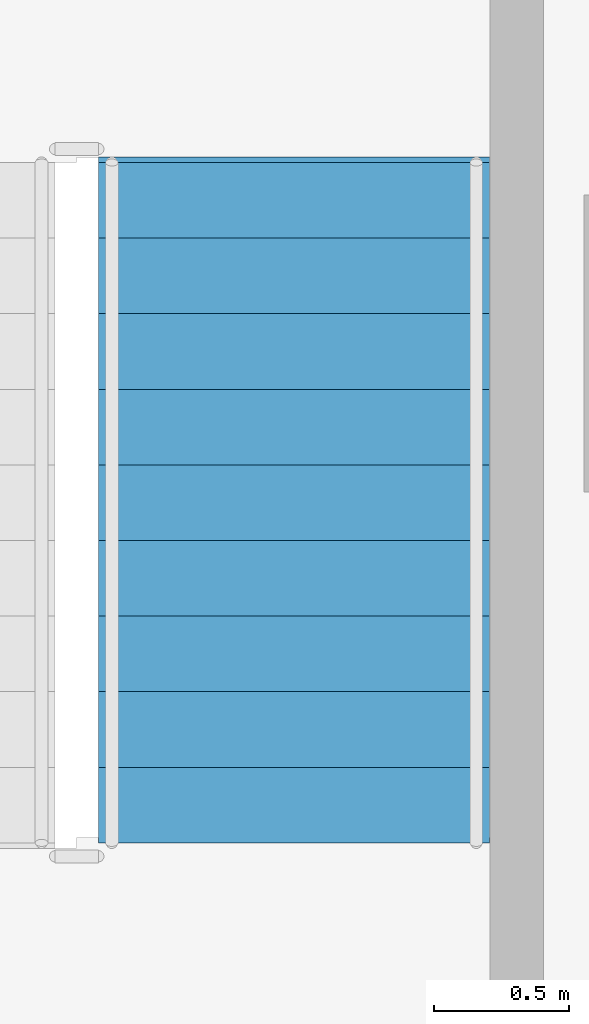
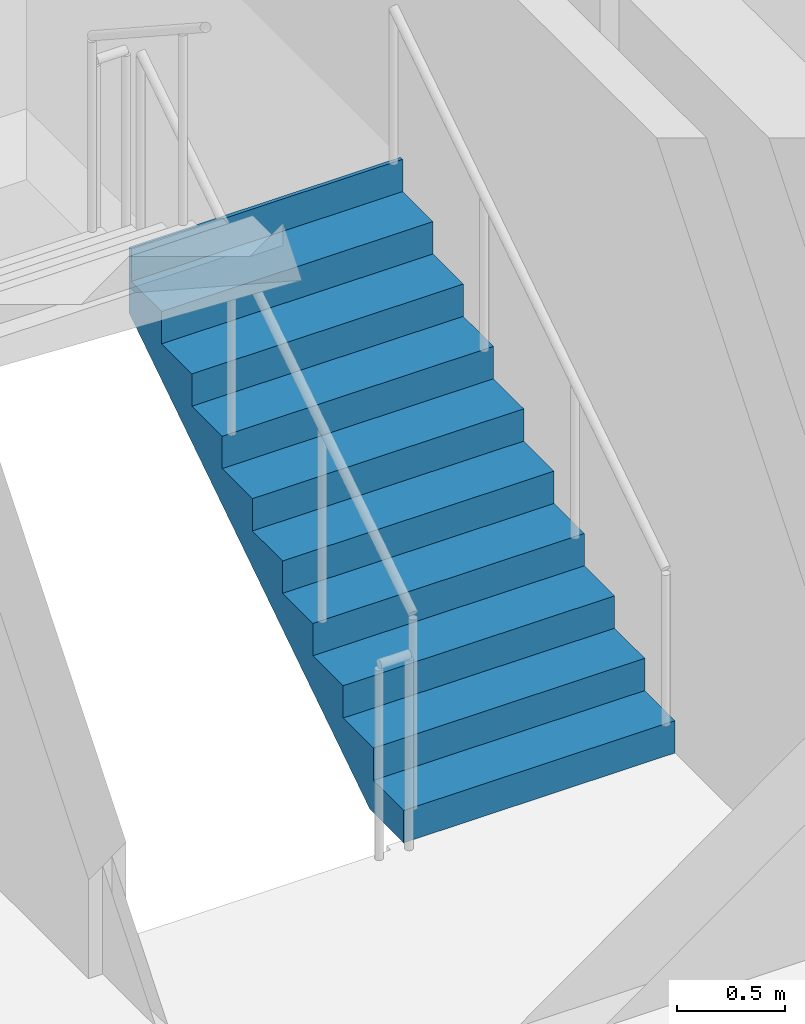
# One storey, part 10 of 15: 1 stair flight, 1 element without a shape of its own.
"""IFC4 building model written with IfcOpenShell, lengths in metres."""

from ifc_helpers import new_model, si_unit, direction, frame, origin, place, context, subcontext, project, spatial, polyline, outline, extrude, material, type_object, element, aggregate, save


model = new_model("IFC4")

# Units and contexts
model_context = context("Model", 3, precision=1e-05, world=origin(), true_north=direction((0.0, 1.0)))
body_context = subcontext(model_context, "Body", "Model", "MODEL_VIEW")
ifc_project = project(units=[si_unit("LENGTHUNIT", "METRE"), si_unit("AREAUNIT", "SQUARE_METRE"), si_unit("VOLUMEUNIT", "CUBIC_METRE"), si_unit("PLANEANGLEUNIT", "RADIAN"), si_unit("MASSUNIT", "GRAM", prefix="KILO")], contexts=[model_context])

# Site, building, storey
site_placement = place(None, origin())
site = spatial("IfcSite", under=ifc_project, at=site_placement, CompositionType="ELEMENT")
building_placement = place(site_placement, origin())
building = spatial("IfcBuilding", under=site, at=building_placement, Name="Nuvemarco Arch Tower", CompositionType="ELEMENT")
storey_placement = place(building_placement, frame((0.0, 0.0, 86.0)))
storey = spatial("IfcBuildingStorey", under=building, at=storey_placement, Name="L22", CompositionType="ELEMENT", Elevation=86.0)

# Stair, stair flight
ifc_material = material(Name="Precast concrete C45/55", Category="concrete")
stair_type = type_object("IfcStairType", Name="ST-CORE-20R", PredefinedType="HALF_TURN_STAIR", material=ifc_material)
stair_placement = place(storey_placement, origin())
stair = element("IfcStair", 1, at=stair_placement, inside=storey, type_object=stair_type, Name="L22 Protected Exit Stair ST-2", PredefinedType="HALF_TURN_STAIR")
stair_flight_type = type_object("IfcStairFlightType", Name="SF-CORE-20R", PredefinedType="STRAIGHT", material=ifc_material)
stair_flight_placement = place(storey_placement, frame((15.875, 2.64990234375, 0.0), z_axis=(0.0, 0.0, 1.0), x_axis=(0.0, 1.0, 0.0)))
stair_flight = element("IfcStairFlight", 2, at=stair_flight_placement, type_object=stair_flight_type, Name="ST-20R flight 1", NumberOfRisers=10, NumberOfTreads=9, PredefinedType="STRAIGHT", RiserHeight=0.1825, TreadLength=0.28, context=body_context, shape_type="SweptSolid", body=[
    extrude(outline(polyline([(0.0, 0.0), (0.0, 0.1826171875), (0.280029296875, 0.1826171875), (0.280029296875, 0.364990234375), (0.56005859375, 0.364990234375), (0.56005859375, 0.547607421875), (0.840087890625, 0.547607421875), (0.840087890625, 0.72998046875), (1.1201171875, 0.72998046875), (1.1201171875, 0.91259765625), (1.39990234375, 0.91259765625), (1.39990234375, 1.094970703125), (1.679931640625, 1.094970703125), (1.679931640625, 1.277587890625), (1.9599609375, 1.277587890625), (1.9599609375, 1.4599609375), (2.239990234375, 1.4599609375), (2.239990234375, 1.642578125), (2.52001953125, 1.642578125), (2.52001953125, 1.824951171875), (2.5400390625, 1.824951171875), (2.5400390625, 1.45166015625), (0.312744140625, 0.0), (0.0, 0.0)])), frame((0.0, 0.72509765625, 0.0), z_axis=(0.0, -1.0, 0.0), x_axis=(1.0, 0.0, 0.0)), (0.0, 0.0, 1.0), 1.449951171875),
])
aggregate(stair, [stair_flight])

save(model, "model.ifc")
